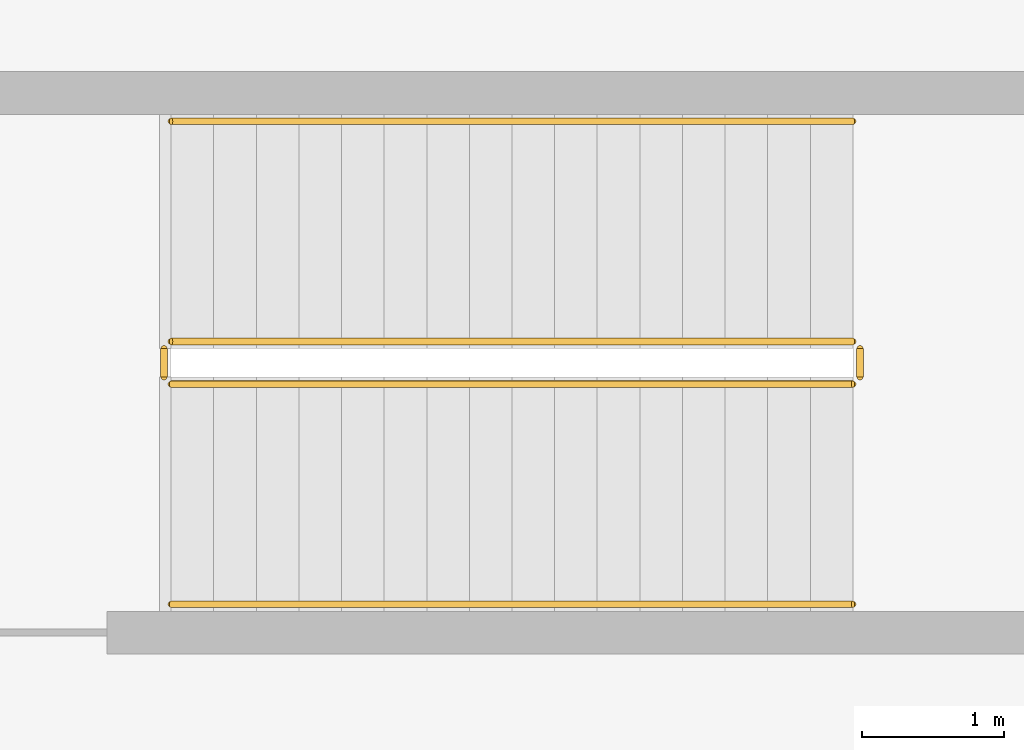
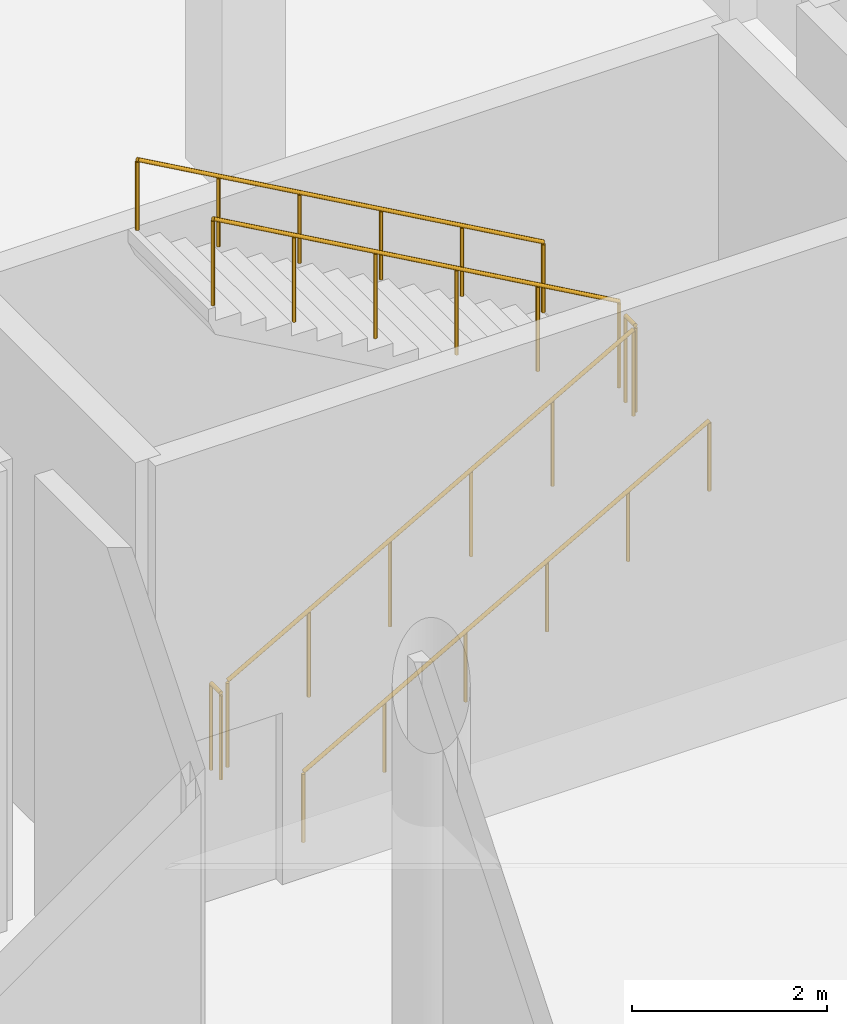
# One storey, part 90 of 103: 6 railings.
"""IFC4 building model written with IfcOpenShell, lengths in metres."""

import ifcopenshell
import ifcopenshell.guid

model = None  # the IFC model being written
_history = None  # IfcOwnerHistory: only IFC2X3 demands one
_inside = {}  # id of a spatial element -> (the spatial element, [elements in it])
_under = {}  # id of a project, library or spatial element -> (it, [spatial elements below it])
_declared = {}  # id of a project -> (the project, [libraries it declares])
_typed = {}  # id of a type object -> (the type object, [elements of that type])
_made_of = {}  # id of a material, layer set ... -> (it, [elements and type objects made of it])


def new_model(schema):
    """Start an empty IFC model of exactly this schema.

    Asked for "IFC4X3", IfcOpenShell would pick the latest addendum, in which some entities
    have other attributes; the version numbers below select the first issue.
    IFC2X3 requires an IfcOwnerHistory on every rooted entity: one is made here for all.
    """
    global model, _history
    if schema == "IFC4X3":
        model = ifcopenshell.file(schema_version=(4, 3, 0, 0))
    else:
        model = ifcopenshell.file(schema=schema)
    _inside.clear()
    _under.clear()
    _declared.clear()
    _typed.clear()
    _made_of.clear()
    _history = None
    if model.schema == "IFC2X3":
        org = make("IfcOrganization", Name="unknown")
        user = make(
            "IfcPersonAndOrganization",
            ThePerson=make("IfcPerson", FamilyName="unknown"),
            TheOrganization=org,
        )
        app = make(
            "IfcApplication",
            ApplicationDeveloper=org,
            Version="unknown",
            ApplicationFullName="unknown",
            ApplicationIdentifier="unknown",
        )
        _history = make(
            "IfcOwnerHistory",
            OwningUser=user,
            OwningApplication=app,
            ChangeAction="ADDED",
            CreationDate=0,
        )
    return model


def make(cls, **values):
    """One entity of the class cls with the attributes given. An attribute that is None is left unset."""
    return model.create_entity(
        cls, **{name: value for name, value in values.items() if value is not None}
    )


def rooted(cls, **values):
    """An entity with a GlobalId (a new one), such as an element, a storey or a relation."""
    return make(cls, GlobalId=ifcopenshell.guid.new(), OwnerHistory=_history, **values)


def si_unit(unit_type, name, prefix=None):
    """IfcSIUnit, for example si_unit("LENGTHUNIT", "METRE", prefix="MILLI")."""
    return make("IfcSIUnit", UnitType=unit_type, Prefix=prefix, Name=name)


def assignment(units):
    """IfcUnitAssignment: the units of a project."""
    return None if units is None else make("IfcUnitAssignment", Units=units)


def point(xyz):
    """IfcCartesianPoint."""
    return None if xyz is None else make("IfcCartesianPoint", Coordinates=xyz)


def direction(xyz):
    """IfcDirection."""
    return None if xyz is None else make("IfcDirection", DirectionRatios=xyz)


def frame(location, z_axis=None, x_axis=None):
    """IfcAxis2Placement3D, a coordinate frame: its origin and axes. An axis left out is left unset."""
    return make(
        "IfcAxis2Placement3D",
        Location=point(location),
        Axis=direction(z_axis),
        RefDirection=direction(x_axis),
    )


def frame_2d(location, x_axis=None):
    """IfcAxis2Placement2D, a coordinate frame in the plane: its origin and x axis."""
    return make(
        "IfcAxis2Placement2D", Location=point(location), RefDirection=direction(x_axis)
    )


def origin():
    """The frame at (0, 0, 0) with its axes left unset."""
    return frame((0.0, 0.0, 0.0))


def origin_2d():
    """The frame at (0, 0) in the plane with its x axis left unset."""
    return frame_2d((0.0, 0.0))


def place(relative_to, where):
    """IfcLocalPlacement: puts the frame where relative to a parent placement (None: the world)."""
    return make(
        "IfcLocalPlacement", PlacementRelTo=relative_to, RelativePlacement=where
    )


def context(
    kind, dimensions, precision=None, world=None, true_north=None, identifier=None
):
    """IfcGeometricRepresentationContext, for example the 3D "Model" context."""
    return make(
        "IfcGeometricRepresentationContext",
        ContextIdentifier=identifier,
        ContextType=kind,
        CoordinateSpaceDimension=dimensions,
        Precision=precision,
        WorldCoordinateSystem=world,
        TrueNorth=true_north,
    )


def subcontext(parent, identifier, kind, view, scale=None):
    """IfcGeometricRepresentationSubContext, for example "Body" below "Model"."""
    return make(
        "IfcGeometricRepresentationSubContext",
        ContextIdentifier=identifier,
        ContextType=kind,
        ParentContext=parent,
        TargetScale=scale,
        TargetView=view,
    )


def project(units=None, contexts=None):
    """IfcProject with its units and contexts."""
    return rooted(
        "IfcProject",
        Name="project",
        RepresentationContexts=contexts,
        UnitsInContext=assignment(units),
    )


def spatial(cls, under=None, at=None, **own):
    """A site, building, storey or space (cls), placed at a placement, below another one or the project."""
    s = rooted(cls, ObjectPlacement=at, **own)
    if under is not None:
        _under.setdefault(under.id(), (under, []))[1].append(s)
    return s


def profile(cls, at=None, kind="AREA", **sizes):
    """A parametric profile (cls). Its sizes go by their IFC names, for example OverallWidth=200.0."""
    return make(cls, ProfileType=kind, Position=at, **sizes)


def circle(**sizes):
    """IfcCircleProfileDef."""
    return profile("IfcCircleProfileDef", **sizes)


def extrude(swept, where, along, depth):
    """IfcExtrudedAreaSolid: the profile swept, set in the frame where, extruded along a direction by depth."""
    return make(
        "IfcExtrudedAreaSolid",
        SweptArea=swept,
        Position=where,
        ExtrudedDirection=direction(along),
        Depth=depth,
    )


def shape(context_of_items, identifier, shape_type, items):
    """IfcShapeRepresentation: the items that make up one representation, for example the "Body"."""
    return make(
        "IfcShapeRepresentation",
        ContextOfItems=context_of_items,
        RepresentationIdentifier=identifier,
        RepresentationType=shape_type,
        Items=items,
    )


def material(Name=None, Category=None):
    """IfcMaterial."""
    return make("IfcMaterial", Name=Name, Category=Category)


def made_of(thing, what):
    """Note that an element or type object is made of a material, layer set ...; save() writes the relation."""
    if what is not None:
        _made_of.setdefault(what.id(), (what, []))[1].append(thing)
    return thing


def type_object(cls, material=None, **own):
    """A type object (cls), such as IfcWallType, which elements share."""
    return made_of(rooted(cls, **own), material)


def element(
    cls,
    number,
    at=None,
    inside=None,
    cuts=None,
    type_object=None,
    material=None,
    context=None,
    identifier="Body",
    shape_type=None,
    held_by="IfcProductDefinitionShape",
    body=None,
    shapes=None,
    **own,
):
    """One element of the class cls, such as IfcWall. Its Tag is "e" and its number.

    at: its placement. inside: the storey or other place that contains it. cuts: it is an
    opening in that element (IfcRelVoidsElement). A single representation is given by context,
    identifier, shape_type and body (its items); several are given by shapes. held_by: the class
    of the entity that holds the representations. save() writes the other relations.
    """
    e = rooted(cls, Tag="e%d" % number, ObjectPlacement=at, **own)
    if body is not None:
        shapes = [shape(context, identifier, shape_type, body)]
    if shapes is not None:
        e.Representation = make(held_by, Representations=shapes)
    if inside is not None:
        _inside.setdefault(inside.id(), (inside, []))[1].append(e)
    if cuts is not None:
        rooted(
            "IfcRelVoidsElement", RelatingBuildingElement=cuts, RelatedOpeningElement=e
        )
    if type_object is not None:
        _typed.setdefault(type_object.id(), (type_object, []))[1].append(e)
    return made_of(e, material)


def aggregate(whole, parts):
    """IfcRelAggregates: a whole, such as a stair, and the parts it consists of."""
    return rooted("IfcRelAggregates", RelatingObject=whole, RelatedObjects=parts)


def save(model, path):
    """Write the relations noted so far, then the file.

    IfcRelAggregates (storeys below a building ...), IfcRelContainedInSpatialStructure (elements
    in a storey), IfcRelDefinesByType, IfcRelAssociatesMaterial and IfcRelDeclares: one each for
    every whole, place, type object, material and project.
    """
    for whole, parts in _under.values():
        aggregate(whole, parts)
    for where, things in _inside.values():
        rooted(
            "IfcRelContainedInSpatialStructure",
            RelatedElements=things,
            RelatingStructure=where,
        )
    for kind, things in _typed.values():
        rooted("IfcRelDefinesByType", RelatedObjects=things, RelatingType=kind)
    for what, things in _made_of.values():
        rooted("IfcRelAssociatesMaterial", RelatedObjects=things, RelatingMaterial=what)
    for by, libraries in _declared.values():
        rooted("IfcRelDeclares", RelatingContext=by, RelatedDefinitions=libraries)
    model.write(path)


model = new_model("IFC4")

# Units and contexts
model_context = context("Model", 3, precision=1e-05, world=origin(), true_north=direction((0.0, 1.0)))
body_context = subcontext(model_context, "Body", "Model", "MODEL_VIEW")
ifc_project = project(units=[si_unit("LENGTHUNIT", "METRE"), si_unit("AREAUNIT", "SQUARE_METRE"), si_unit("VOLUMEUNIT", "CUBIC_METRE"), si_unit("PLANEANGLEUNIT", "RADIAN"), si_unit("MASSUNIT", "GRAM", prefix="KILO")], contexts=[model_context])

# Site, building, storey
site_placement = place(None, origin())
site = spatial("IfcSite", under=ifc_project, at=site_placement, CompositionType="ELEMENT")
building_placement = place(site_placement, origin())
building = spatial("IfcBuilding", under=site, at=building_placement, Name="Dunvalen Ferry Terminal", CompositionType="ELEMENT")
storey_placement = place(building_placement, origin())
storey = spatial("IfcBuildingStorey", under=building, at=storey_placement, Name="L00", CompositionType="ELEMENT", Elevation=0.0)

# Railings
ifc_material_1 = material(Name="Painted galvanised steel S275", Category="steel")
railing_type_1 = type_object("IfcRailingType", Name="INT-RL-STGRD", PredefinedType="GUARDRAIL", material=ifc_material_1)
railing_1_placement = place(storey_placement, frame((42.449951171875, 19.35009765625, 0.16943359375)))
element("IfcRailing", 1, at=railing_1_placement, inside=storey, type_object=railing_type_1, Name="L00 ST2 stair guard 1", PredefinedType="GUARDRAIL", context=body_context, shape_type="SweptSolid", body=[
    extrude(circle(Radius=0.02392578125, at=origin_2d()), frame((0.0, 0.0, 1.076171875), z_axis=(0.870766506294, 0.0, 0.491696747514), x_axis=(0.0, 1.0, 0.0)), (0.0, 0.0, 1.0), 5.512451171875),
    extrude(circle(Radius=0.02099609375, at=origin_2d()), origin(), (0.0, 0.0, 1.0), 1.052001953125),
    extrude(circle(Radius=0.02099609375, at=origin_2d()), frame((0.9599609375, 0.0, 0.5419921875)), (0.0, 0.0, 1.0), 1.052001953125),
    extrude(circle(Radius=0.02099609375, at=origin_2d()), frame((1.919921875, 0.0, 1.084228515625)), (0.0, 0.0, 1.0), 1.052001953125),
    extrude(circle(Radius=0.02099609375, at=origin_2d()), frame((2.880126953125, 0.0, 1.626220703125)), (0.0, 0.0, 1.0), 1.052001953125),
    extrude(circle(Radius=0.02099609375, at=origin_2d()), frame((3.840087890625, 0.0, 2.16845703125)), (0.0, 0.0, 1.0), 1.052001953125),
    extrude(circle(Radius=0.02099609375, at=origin_2d()), frame((4.800048828125, 0.0, 2.71044921875)), (0.0, 0.0, 1.0), 1.052001953125),
])
railing_2_placement = place(storey_placement, frame((47.300048828125, 19.39990234375, 2.8798828125)))
element("IfcRailing", 2, at=railing_2_placement, inside=storey, type_object=railing_type_1, Name="L00 ST2 stair guard 2", PredefinedType="GUARDRAIL", context=body_context, shape_type="SweptSolid", body=[
    extrude(circle(Radius=0.02392578125, at=origin_2d()), frame((0.0, 0.0, 1.076171875), z_axis=(0.0, 1.0, 0.0), x_axis=(-1.0, 0.0, 0.0)), (0.0, 0.0, 1.0), 0.2001953125),
    extrude(circle(Radius=0.02099609375, at=origin_2d()), origin(), (0.0, 0.0, 1.0), 1.052001953125),
    extrude(circle(Radius=0.02099609375, at=origin_2d()), frame((0.0, 0.2001953125, 0.0)), (0.0, 0.0, 1.0), 1.052001953125),
])
railing_3_placement = place(storey_placement, frame((47.25, 19.64990234375, 3.04931640625)))
element("IfcRailing", 3, at=railing_3_placement, inside=storey, type_object=railing_type_1, Name="L00 ST2 stair guard 3", PredefinedType="GUARDRAIL", context=body_context, shape_type="SweptSolid", body=[
    extrude(circle(Radius=0.02392578125, at=origin_2d()), frame((0.0, 0.0, 1.076171875), z_axis=(-0.870747543578, 0.0, 0.491730327875), x_axis=(0.0, -1.0, 0.0)), (0.0, 0.0, 1.0), 5.512451171875),
    extrude(circle(Radius=0.02099609375, at=origin_2d()), origin(), (0.0, 0.0, 1.0), 1.052001953125),
    extrude(circle(Radius=0.02099609375, at=origin_2d()), frame((-0.9599609375, 0.0, 0.542236328125)), (0.0, 0.0, 1.0), 1.052001953125),
    extrude(circle(Radius=0.02099609375, at=origin_2d()), frame((-1.919921875, 0.0, 1.084228515625)), (0.0, 0.0, 1.0), 1.052001953125),
    extrude(circle(Radius=0.02099609375, at=origin_2d()), frame((-2.880126953125, 0.0, 1.62646484375)), (0.0, 0.0, 1.0), 1.052001953125),
    extrude(circle(Radius=0.02099609375, at=origin_2d()), frame((-3.840087890625, 0.0, 2.16845703125)), (0.0, 0.0, 1.0), 1.052001953125),
    extrude(circle(Radius=0.02099609375, at=origin_2d()), frame((-4.800048828125, 0.0, 2.710693359375)), (0.0, 0.0, 1.0), 1.052001953125),
])
railing_4_placement = place(storey_placement, frame((42.39990234375, 19.39990234375, 0.0)))
element("IfcRailing", 4, at=railing_4_placement, inside=storey, type_object=railing_type_1, Name="L00 ST2 stair guard 4", PredefinedType="GUARDRAIL", context=body_context, shape_type="SweptSolid", body=[
    extrude(circle(Radius=0.02392578125, at=origin_2d()), frame((0.0, 0.0, 1.076171875), z_axis=(0.0, 1.0, 0.0), x_axis=(-1.0, 0.0, 0.0)), (0.0, 0.0, 1.0), 0.2001953125),
    extrude(circle(Radius=0.02099609375, at=origin_2d()), origin(), (0.0, 0.0, 1.0), 1.052001953125),
    extrude(circle(Radius=0.02099609375, at=origin_2d()), frame((0.0, 0.2001953125, 0.0)), (0.0, 0.0, 1.0), 1.052001953125),
])
ifc_material_2 = material(Name="Brushed 316 stainless steel", Category="steel")
railing_type_2 = type_object("IfcRailingType", Name="INT-RL-STHND", PredefinedType="HANDRAIL", material=ifc_material_2)
railing_5_placement = place(storey_placement, frame((42.449951171875, 17.800048828125, 0.16943359375)))
element("IfcRailing", 5, at=railing_5_placement, inside=storey, type_object=railing_type_2, Name="L00 ST2 stair handrail 1", PredefinedType="HANDRAIL", context=body_context, shape_type="SweptSolid", body=[
    extrude(circle(Radius=0.02392578125, at=origin_2d()), frame((0.0, 0.0, 0.8759765625), z_axis=(0.870766506294, 0.0, 0.491696747514), x_axis=(0.0, 1.0, 0.0)), (0.0, 0.0, 1.0), 5.512451171875),
    extrude(circle(Radius=0.02099609375, at=origin_2d()), origin(), (0.0, 0.0, 1.0), 0.851806640625),
    extrude(circle(Radius=0.02099609375, at=origin_2d()), frame((0.9599609375, 0.0, 0.5419921875)), (0.0, 0.0, 1.0), 0.851806640625),
    extrude(circle(Radius=0.02099609375, at=origin_2d()), frame((1.919921875, 0.0, 1.084228515625)), (0.0, 0.0, 1.0), 0.851806640625),
    extrude(circle(Radius=0.02099609375, at=origin_2d()), frame((2.880126953125, 0.0, 1.626220703125)), (0.0, 0.0, 1.0), 0.851806640625),
    extrude(circle(Radius=0.02099609375, at=origin_2d()), frame((3.840087890625, 0.0, 2.16845703125)), (0.0, 0.0, 1.0), 0.851806640625),
    extrude(circle(Radius=0.02099609375, at=origin_2d()), frame((4.800048828125, 0.0, 2.71044921875)), (0.0, 0.0, 1.0), 0.851806640625),
])
railing_6_placement = place(storey_placement, frame((47.25, 21.199951171875, 3.04931640625)))
element("IfcRailing", 6, at=railing_6_placement, inside=storey, type_object=railing_type_2, Name="L00 ST2 stair handrail 2", PredefinedType="HANDRAIL", context=body_context, shape_type="SweptSolid", body=[
    extrude(circle(Radius=0.02392578125, at=origin_2d()), frame((0.0, 0.0, 0.8759765625), z_axis=(-0.870747543578, 0.0, 0.491730327875), x_axis=(0.0, -1.0, 0.0)), (0.0, 0.0, 1.0), 5.512451171875),
    extrude(circle(Radius=0.02099609375, at=origin_2d()), origin(), (0.0, 0.0, 1.0), 0.851806640625),
    extrude(circle(Radius=0.02099609375, at=origin_2d()), frame((-0.9599609375, 0.0, 0.542236328125)), (0.0, 0.0, 1.0), 0.851806640625),
    extrude(circle(Radius=0.02099609375, at=origin_2d()), frame((-1.919921875, 0.0, 1.084228515625)), (0.0, 0.0, 1.0), 0.851806640625),
    extrude(circle(Radius=0.02099609375, at=origin_2d()), frame((-2.880126953125, 0.0, 1.62646484375)), (0.0, 0.0, 1.0), 0.851806640625),
    extrude(circle(Radius=0.02099609375, at=origin_2d()), frame((-3.840087890625, 0.0, 2.16845703125)), (0.0, 0.0, 1.0), 0.851806640625),
    extrude(circle(Radius=0.02099609375, at=origin_2d()), frame((-4.800048828125, 0.0, 2.710693359375)), (0.0, 0.0, 1.0), 0.851806640625),
])

save(model, "model.ifc")
